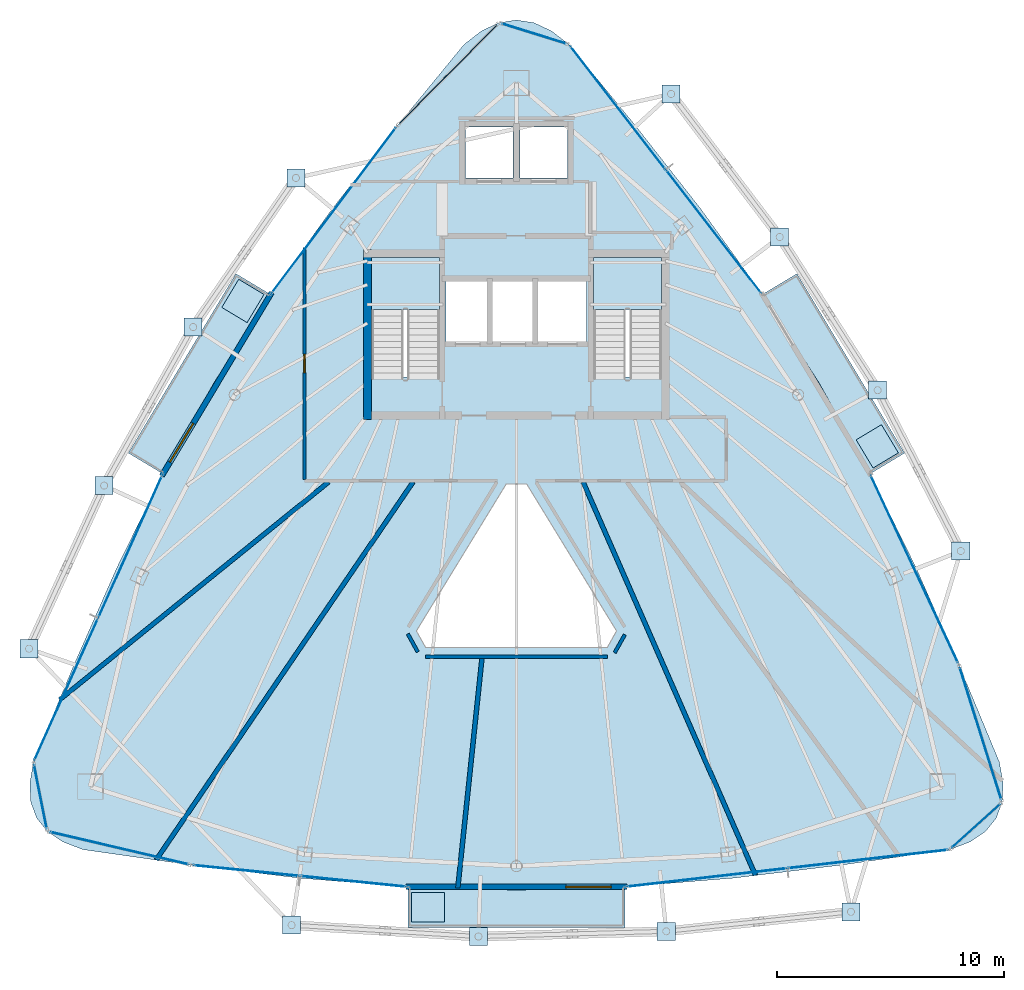
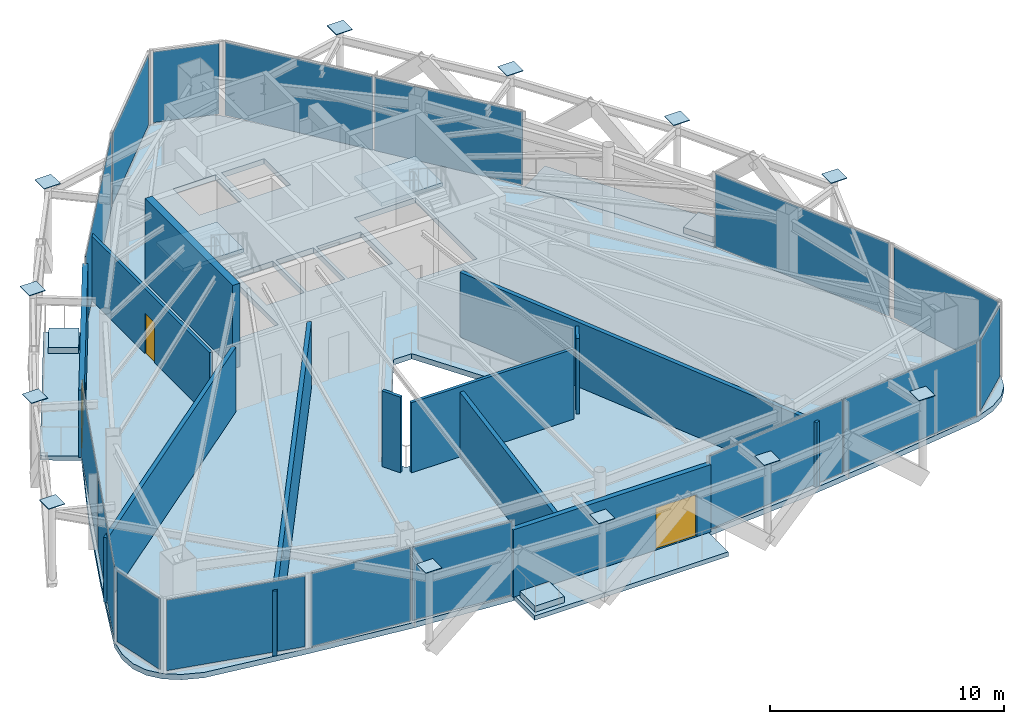
# One storey, part 18 of 22: 28 plates, 11 walls, 9 slabs, 3 doors, 3 openings, 14 elements without a shape of their own.
"""IFC4 building model written with IfcOpenShell, lengths in metres."""

from ifc_helpers import new_model, si_unit, direction, frame, frame_2d, origin, origin_2d, place, context, subcontext, project, spatial, polyline, rectangle, outline, extrude, material, layer, layer_set, type_object, element, fill, aggregate, save


model = new_model("IFC4")

# Units and contexts
model_context = context("Model", 3, precision=1e-05, world=origin(), true_north=direction((0.0, 1.0)))
body_context = subcontext(model_context, "Body", "Model", "MODEL_VIEW")
ifc_project = project(units=[si_unit("LENGTHUNIT", "METRE"), si_unit("AREAUNIT", "SQUARE_METRE"), si_unit("VOLUMEUNIT", "CUBIC_METRE"), si_unit("PLANEANGLEUNIT", "RADIAN"), si_unit("MASSUNIT", "GRAM", prefix="KILO")], contexts=[model_context])

# Site, building, storey
site_placement = place(None, origin())
site = spatial("IfcSite", under=ifc_project, at=site_placement, CompositionType="ELEMENT")
building_placement = place(site_placement, origin())
building = spatial("IfcBuilding", under=site, at=building_placement, Name="Orvanel Arch Residences", CompositionType="ELEMENT")
storey_placement = place(building_placement, frame((0.0, 0.0, 276.64990234375)))
storey = spatial("IfcBuildingStorey", under=building, at=storey_placement, Name="L79", CompositionType="ELEMENT", Elevation=276.64990234375)

# Plates
ifc_material_1 = material(Name="Structural steel AS/NZS 3678 Grade 350", Category="steel")
ifc_layer_1 = layer(ifc_material_1, 0.031982421875)
ifc_layer_set_1 = layer_set([ifc_layer_1], Name="Structural steel AS/NZS 3678 Grade 350")
plate_type_1 = type_object("IfcPlateType", Name="PL-CAP-32", PredefinedType="SHEET", material=ifc_layer_set_1)
for number, where, z_axis, x_axis, name in (
    (1, (23.26806640625, 37.20703125, 4.333984375), (0.0, 0.0, 1.0), (1.0, 0.0, 0.0), "L79 hollow member end cap plate"),
    (2, (18.735107421875, 30.62890625, 4.333984375), (0.0, 0.0, 1.0), (1.0, 0.0, 0.0), "L79 hollow member end cap plate"),
    (3, (14.806884765625, 23.634033203125, 4.333984375), (0.0, 0.0, 1.0), (1.0, 0.0, 0.0), "L79 hollow member end cap plate"),
    (4, (11.4951171875, 16.43701171875, 4.333984375), (0.0, 0.0, 1.0), (1.0, 0.0, 0.0), "L79 hollow member end cap plate"),
    (5, (23.0791015625, 4.239990234375, 4.333984375), (0.0, 0.0, 1.0), (1.0, 0.0, 0.0), "L79 hollow member end cap plate"),
    (6, (31.322021484375, 3.737060546875, 4.333984375), (0.0, 0.0, 1.0), (1.0, 0.0, 0.0), "L79 hollow member end cap plate"),
    (7, (39.610107421875, 3.967041015625, 4.333984375), (0.0, 0.0, 1.0), (1.0, 0.0, 0.0), "L79 hollow member end cap plate"),
    (8, (47.759033203125, 4.827880859375, 4.333984375), (0.0, 0.0, 1.0), (1.0, 0.0, 0.0), "L79 hollow member end cap plate"),
    (9, (52.60498046875, 20.748046875, 4.333984375), (0.0, 0.0, 1.0), (1.0, 0.0, 0.0), "L79 hollow member end cap plate"),
    (10, (48.93603515625, 27.843994140625, 4.333984375), (0.0, 0.0, 1.0), (1.0, 0.0, 0.0), "L79 hollow member end cap plate"),
    (11, (44.613037109375, 34.60302734375, 4.333984375), (0.0, 0.0, 1.0), (1.0, 0.0, 0.0), "L79 hollow member end cap plate"),
    (12, (39.822998046875, 40.9130859375, 4.333984375), (0.0, 0.0, 1.0), (1.0, 0.0, 0.0), "L79 hollow member end cap plate"),
):
    element("IfcPlate", number, at=place(storey_placement, frame(where, z_axis=z_axis, x_axis=x_axis)), inside=storey, type_object=plate_type_1, Name=name, PredefinedType="SHEET", context=body_context, shape_type="SweptSolid", body=[
        extrude(rectangle(XDim=0.800048828125, YDim=0.800048828125, at=origin_2d()), origin(), (0.0, 0.0, 1.0), 0.031982421875),
    ])

# Curtain wall, plate
ifc_material_2 = material(Name="Bronze-anodised aluminium AA6063-T6", Category="aluminium")
ifc_layer_2 = layer(ifc_material_2, 0.18994140625)
ifc_layer_set_2 = layer_set([ifc_layer_2], Name="Bronze-anodised aluminium AA6063-T6")
curtain_wall_type_1 = type_object("IfcCurtainWallType", Name="CW5-CRN-SYS", PredefinedType="NOTDEFINED", material=ifc_layer_set_2)
curtain_wall_1_placement = place(storey_placement, origin())
curtain_wall_1 = element("IfcCurtainWall", 13, at=curtain_wall_1_placement, inside=storey, type_object=curtain_wall_type_1, Name="L79 CW5-CRN-SYS Unitised Curtain Wall", PredefinedType="NOTDEFINED")
ifc_material_3 = material(Name="Double-glazed solar-control low-E safety glass", Category="glass")
ifc_layer_3 = layer(ifc_material_3, 0.031982421875)
ifc_layer_set_3 = layer_set([ifc_layer_3], Name="Double-glazed solar-control low-E safety glass")
plate_type_2 = type_object("IfcPlateType", Name="PNL-GLZ-32", PredefinedType="CURTAIN_PANEL", material=ifc_layer_set_3)
plate_1_placement = place(storey_placement, frame((33.7724609375, 43.575439453125, 0.130126953125), z_axis=(0.0, 0.0, 1.0), x_axis=(-0.954874529848, 0.297009481748, 0.0)))
plate_1 = element("IfcPlate", 14, at=plate_1_placement, type_object=plate_type_2, Name="CW-S5 panel 1.1", PredefinedType="CURTAIN_PANEL", context=body_context, shape_type="SweptSolid", body=[
    extrude(rectangle(XDim=2.895263671875, YDim=0.031982421875, at=origin_2d()), origin(), (0.0, 0.0, 1.0), 3.68994140625),
])
aggregate(curtain_wall_1, [plate_1])

curtain_wall_2_placement = place(storey_placement, origin())
curtain_wall_2 = element("IfcCurtainWall", 15, at=curtain_wall_2_placement, inside=storey, type_object=curtain_wall_type_1, Name="L79 CW5-CRN-SYS Unitised Curtain Wall", PredefinedType="NOTDEFINED")
plate_2_placement = place(storey_placement, frame((29.9765625, 41.77197265625, 0.130126953125), z_axis=(0.0, 0.0, 1.0), x_axis=(-0.701990149216, -0.712186654188, 0.0)))
plate_2 = element("IfcPlate", 16, at=plate_2_placement, type_object=plate_type_2, Name="CW-S5 panel 1.1", PredefinedType="CURTAIN_PANEL", context=body_context, shape_type="SweptSolid", body=[
    extrude(rectangle(XDim=6.07470703125, YDim=0.031982421875, at=origin_2d()), origin(), (0.0, 0.0, 1.0), 3.68994140625),
])
aggregate(curtain_wall_2, [plate_2])

curtain_wall_3_placement = place(storey_placement, origin())
curtain_wall_3 = element("IfcCurtainWall", 17, at=curtain_wall_3_placement, inside=storey, type_object=curtain_wall_type_1, Name="L79 CW5-CRN-SYS Unitised Curtain Wall", PredefinedType="NOTDEFINED")
plate_3_placement = place(storey_placement, frame((11.99560546875, 9.906005859375, 0.130126953125), z_axis=(0.0, 0.0, 1.0), x_axis=(0.195428223569, -0.980718007091, 0.0)))
plate_3 = element("IfcPlate", 18, at=plate_3_placement, type_object=plate_type_2, Name="CW-S5 panel 1.1", PredefinedType="CURTAIN_PANEL", context=body_context, shape_type="SweptSolid", body=[
    extrude(rectangle(XDim=2.775390625, YDim=0.031982421875, at=origin_2d()), origin(), (0.0, 0.0, 1.0), 3.68994140625),
])
aggregate(curtain_wall_3, [plate_3])

curtain_wall_4_placement = place(storey_placement, origin())
curtain_wall_4 = element("IfcCurtainWall", 19, at=curtain_wall_4_placement, inside=storey, type_object=curtain_wall_type_1, Name="L79 CW5-CRN-SYS Unitised Curtain Wall", PredefinedType="NOTDEFINED")
plate_4_placement = place(storey_placement, frame((15.4794921875, 7.634033203125, 0.130126953125), z_axis=(0.0, 0.0, 1.0), x_axis=(0.973735429993, -0.227682481487, 0.0)))
plate_4 = element("IfcPlate", 20, at=plate_4_placement, type_object=plate_type_2, Name="CW-S5 panel 1.1", PredefinedType="CURTAIN_PANEL", context=body_context, shape_type="SweptSolid", body=[
    extrude(rectangle(XDim=6.19140625, YDim=0.031982421875, at=origin_2d()), origin(), (0.0, 0.0, 1.0), 3.68994140625),
])
aggregate(curtain_wall_4, [plate_4])

curtain_wall_5_placement = place(storey_placement, origin())
curtain_wall_5 = element("IfcCurtainWall", 21, at=curtain_wall_5_placement, inside=storey, type_object=curtain_wall_type_1, Name="L79 CW5-CRN-SYS Unitised Curtain Wall", PredefinedType="NOTDEFINED")
plate_5_placement = place(storey_placement, frame((53.275390625, 8.617919921875, 0.130126953125), z_axis=(0.0, 0.0, 1.0), x_axis=(0.740263621493, 0.672316719035, 0.0)))
plate_5 = element("IfcPlate", 22, at=plate_5_placement, type_object=plate_type_2, Name="CW-S5 panel 1.1", PredefinedType="CURTAIN_PANEL", context=body_context, shape_type="SweptSolid", body=[
    extrude(rectangle(XDim=2.77587890625, YDim=0.031982421875, at=origin_2d()), origin(), (0.0, 0.0, 1.0), 3.68994140625),
])
aggregate(curtain_wall_5, [plate_5])

curtain_wall_6_placement = place(storey_placement, origin())
curtain_wall_6 = element("IfcCurtainWall", 23, at=curtain_wall_6_placement, inside=storey, type_object=curtain_wall_type_1, Name="L79 CW5-CRN-SYS Unitised Curtain Wall", PredefinedType="NOTDEFINED")
plate_6_placement = place(storey_placement, frame((53.47412109375, 12.70361328125, 0.130126953125), z_axis=(0.0, 0.0, 1.0), x_axis=(-0.29983070447, 0.953992425891, 0.0)))
plate_6 = element("IfcPlate", 24, at=plate_6_placement, type_object=plate_type_2, Name="CW-S5 panel 1.1", PredefinedType="CURTAIN_PANEL", context=body_context, shape_type="SweptSolid", body=[
    extrude(rectangle(XDim=6.0302734375, YDim=0.031982421875, at=origin_2d()), origin(), (0.0, 0.0, 1.0), 3.68994140625),
])
aggregate(curtain_wall_6, [plate_6])

ifc_layer_4 = layer(ifc_material_2, 0.195068359375)
ifc_layer_set_4 = layer_set([ifc_layer_4], Name="Bronze-anodised aluminium AA6063-T6")
curtain_wall_type_2 = type_object("IfcCurtainWallType", Name="CW6-COM-SYS", PredefinedType="NOTDEFINED", material=ifc_layer_set_4)
curtain_wall_7_placement = place(storey_placement, origin())
curtain_wall_7 = element("IfcCurtainWall", 25, at=curtain_wall_7_placement, inside=storey, type_object=curtain_wall_type_2, Name="L79 CW6-COM-SYS Unitised Curtain Wall", PredefinedType="NOTDEFINED")
plate_7_placement = place(storey_placement, frame((24.9375, 35.778076171875, 0.06494140625), z_axis=(0.0, 0.0, 1.0), x_axis=(-0.600692340648, -0.799480276109, 0.0)))
plate_7 = element("IfcPlate", 26, at=plate_7_placement, type_object=plate_type_2, Name="CW-S6 panel 1.1", PredefinedType="CURTAIN_PANEL", context=body_context, shape_type="SweptSolid", body=[
    extrude(rectangle(XDim=9.091064453125, YDim=0.031982421875, at=origin_2d()), origin(), (0.0, 0.0, 1.0), 3.820068359375),
])
aggregate(curtain_wall_7, [plate_7])

# Curtain wall, plates
curtain_wall_8_placement = place(storey_placement, origin())
curtain_wall_8 = element("IfcCurtainWall", 27, at=curtain_wall_8_placement, inside=storey, type_object=curtain_wall_type_2, Name="L79 CW6-COM-SYS Unitised Curtain Wall", PredefinedType="NOTDEFINED")
plate_8_placement = place(storey_placement, frame((15.962646484375, 20.947265625, 0.06494140625), z_axis=(0.0, 0.0, 1.0), x_axis=(-0.409625830142, -0.91225362662, 0.0)))
plate_8 = element("IfcPlate", 28, at=plate_8_placement, type_object=plate_type_2, Name="CW-S6 panel 1.1", PredefinedType="CURTAIN_PANEL", context=body_context, shape_type="SweptSolid", body=[
    extrude(rectangle(XDim=6.8388671875, YDim=0.031982421875, at=origin_2d()), origin(), (0.0, 0.0, 1.0), 3.820068359375),
])
plate_9_placement = place(storey_placement, frame((13.13037109375, 14.639892578125, 0.06494140625), z_axis=(0.0, 0.0, 1.0), x_axis=(-0.409625830142, -0.91225362662, 0.0)))
plate_9 = element("IfcPlate", 29, at=plate_9_placement, type_object=plate_type_2, Name="CW-S6 panel 2.1", PredefinedType="CURTAIN_PANEL", context=body_context, shape_type="SweptSolid", body=[
    extrude(rectangle(XDim=6.8388671875, YDim=0.031982421875, at=origin_2d()), origin(), (0.0, 0.0, 1.0), 3.820068359375),
])
aggregate(curtain_wall_8, [plate_8, plate_9])

curtain_wall_9_placement = place(storey_placement, origin())
curtain_wall_9 = element("IfcCurtainWall", 30, at=curtain_wall_9_placement, inside=storey, type_object=curtain_wall_type_2, Name="L79 CW6-COM-SYS Unitised Curtain Wall", PredefinedType="NOTDEFINED")
plate_10_placement = place(storey_placement, frame((21.077880859375, 6.646240234375, 0.06494140625), z_axis=(0.0, 0.0, 1.0), x_axis=(0.994955115989, -0.100321070404, 0.0)))
plate_10 = element("IfcPlate", 31, at=plate_10_placement, type_object=plate_type_2, Name="CW-S6 panel 1.1", PredefinedType="CURTAIN_PANEL", context=body_context, shape_type="SweptSolid", body=[
    extrude(rectangle(XDim=4.672119140625, YDim=0.031982421875, at=origin_2d()), origin(), (0.0, 0.0, 1.0), 3.820068359375),
])
plate_11_placement = place(storey_placement, frame((25.801025390625, 6.169921875, 0.06494140625), z_axis=(0.0, 0.0, 1.0), x_axis=(0.994955115989, -0.100321070404, 0.0)))
plate_11 = element("IfcPlate", 32, at=plate_11_placement, type_object=plate_type_2, Name="CW-S6 panel 2.1", PredefinedType="CURTAIN_PANEL", context=body_context, shape_type="SweptSolid", body=[
    extrude(rectangle(XDim=4.672119140625, YDim=0.031982421875, at=origin_2d()), origin(), (0.0, 0.0, 1.0), 3.820068359375),
])
aggregate(curtain_wall_9, [plate_10, plate_11])

curtain_wall_10_placement = place(storey_placement, origin())
curtain_wall_10 = element("IfcCurtainWall", 33, at=curtain_wall_10_placement, inside=storey, type_object=curtain_wall_type_2, Name="L79 CW6-COM-SYS Unitised Curtain Wall", PredefinedType="NOTDEFINED")
plate_12_placement = place(storey_placement, frame((41.39404296875, 6.34033203125, 0.06494140625), z_axis=(0.0, 0.0, 1.0), x_axis=(0.993481748148, 0.113991298337, 0.0)))
plate_12 = element("IfcPlate", 34, at=plate_12_placement, type_object=plate_type_2, Name="CW-S6 panel 1.1", PredefinedType="CURTAIN_PANEL", context=body_context, shape_type="SweptSolid", body=[
    extrude(rectangle(XDim=7.08544921875, YDim=0.031982421875, at=origin_2d()), origin(), (0.0, 0.0, 1.0), 3.820068359375),
])
plate_13_placement = place(storey_placement, frame((48.5078125, 7.156494140625, 0.06494140625), z_axis=(0.0, 0.0, 1.0), x_axis=(0.993481748148, 0.113991298337, 0.0)))
plate_13 = element("IfcPlate", 35, at=plate_13_placement, type_object=plate_type_2, Name="CW-S6 panel 2.1", PredefinedType="CURTAIN_PANEL", context=body_context, shape_type="SweptSolid", body=[
    extrude(rectangle(XDim=7.08544921875, YDim=0.031982421875, at=origin_2d()), origin(), (0.0, 0.0, 1.0), 3.820068359375),
])
aggregate(curtain_wall_10, [plate_12, plate_13])

# Curtain wall, plate
curtain_wall_11_placement = place(storey_placement, origin())
curtain_wall_11 = element("IfcCurtainWall", 36, at=curtain_wall_11_placement, inside=storey, type_object=curtain_wall_type_2, Name="L79 CW6-COM-SYS Unitised Curtain Wall", PredefinedType="NOTDEFINED")
plate_14_placement = place(storey_placement, frame((50.55859375, 19.947509765625, 0.06494140625), z_axis=(0.0, 0.0, 1.0), x_axis=(-0.422589227025, 0.906321325581, 0.0)))
plate_14 = element("IfcPlate", 37, at=plate_14_placement, type_object=plate_type_2, Name="CW-S6 panel 1.1", PredefinedType="CURTAIN_PANEL", context=body_context, shape_type="SweptSolid", body=[
    extrude(rectangle(XDim=9.090576171875, YDim=0.031982421875, at=origin_2d()), origin(), (0.0, 0.0, 1.0), 3.820068359375),
])
aggregate(curtain_wall_11, [plate_14])

# Curtain wall, plates
curtain_wall_12_placement = place(storey_placement, origin())
curtain_wall_12 = element("IfcCurtainWall", 38, at=curtain_wall_12_placement, inside=storey, type_object=curtain_wall_type_2, Name="L79 CW6-COM-SYS Unitised Curtain Wall", PredefinedType="NOTDEFINED")
plate_15_placement = place(storey_placement, frame((41.69921875, 34.84765625, 0.06494140625), z_axis=(0.0, 0.0, 1.0), x_axis=(-0.612026661099, 0.790837129948, 0.0)))
plate_15 = element("IfcPlate", 39, at=plate_15_placement, type_object=plate_type_2, Name="CW-S6 panel 1.1", PredefinedType="CURTAIN_PANEL", context=body_context, shape_type="SweptSolid", body=[
    extrude(rectangle(XDim=6.839111328125, YDim=0.031982421875, at=origin_2d()), origin(), (0.0, 0.0, 1.0), 3.820068359375),
])
plate_16_placement = place(storey_placement, frame((37.4677734375, 40.3154296875, 0.06494140625), z_axis=(0.0, 0.0, 1.0), x_axis=(-0.612026661099, 0.790837129948, 0.0)))
plate_16 = element("IfcPlate", 40, at=plate_16_placement, type_object=plate_type_2, Name="CW-S6 panel 2.1", PredefinedType="CURTAIN_PANEL", context=body_context, shape_type="SweptSolid", body=[
    extrude(rectangle(XDim=6.839111328125, YDim=0.031982421875, at=origin_2d()), origin(), (0.0, 0.0, 1.0), 3.820068359375),
])
aggregate(curtain_wall_12, [plate_15, plate_16])

# Slabs
ifc_material_4 = material(Name="Concrete N40 (40 MPa)", Category="concrete")
ifc_layer_5 = layer(ifc_material_4, 0.22998046875)
ifc_layer_set_5 = layer_set([ifc_layer_5], Name="Concrete N40 (40 MPa)")
slab_type_1 = type_object("IfcSlabType", Name="SLB-BAL-230", PredefinedType="FLOOR", material=ifc_layer_set_5)
slab_1_placement = place(storey_placement, frame((0.0, 0.0, -0.22998046875)))
element("IfcSlab", 41, at=slab_1_placement, inside=storey, type_object=slab_type_1, Name="L79 Cantilevered Balcony Slab Face 1", PredefinedType="FLOOR", context=body_context, shape_type="SweptSolid", body=[
    extrude(outline(polyline([(20.6240234375, 32.98388671875), (15.8759765625, 25.069091796875), (17.402099609375, 24.153076171875), (19.659912109375, 28.179931640625), (22.14990234375, 32.068115234375), (20.6240234375, 32.98388671875)])), origin(), (0.0, 0.0, 1.0), 0.22998046875),
])
slab_2_placement = place(storey_placement, frame((0.0, 0.0, -0.22998046875)))
element("IfcSlab", 42, at=slab_2_placement, inside=storey, type_object=slab_type_1, Name="L79 Cantilevered Balcony Slab Face 2", PredefinedType="FLOOR", context=body_context, shape_type="SweptSolid", body=[
    extrude(outline(polyline([(28.219970703125, 4.14599609375), (37.780029296875, 4.14599609375), (37.780029296875, 5.926025390625), (33.0, 5.7900390625), (28.219970703125, 5.926025390625), (28.219970703125, 4.14599609375)])), origin(), (0.0, 0.0, 1.0), 0.22998046875),
])
slab_3_placement = place(storey_placement, frame((0.0, 0.0, -0.22998046875)))
element("IfcSlab", 43, at=slab_3_placement, inside=storey, type_object=slab_type_1, Name="L79 Cantilevered Balcony Slab Face 3", PredefinedType="FLOOR", context=body_context, shape_type="SweptSolid", body=[
    extrude(outline(polyline([(50.1240234375, 25.069091796875), (45.3759765625, 32.98388671875), (43.85009765625, 32.068115234375), (46.340087890625, 28.179931640625), (48.597900390625, 24.153076171875), (50.1240234375, 25.069091796875)])), origin(), (0.0, 0.0, 1.0), 0.22998046875),
])

# Stair, slab
ifc_material_5 = material(Name="Precast concrete N50 (50 MPa)", Category="concrete")
stair_type = type_object("IfcStairType", Name="STR-DOG-181", PredefinedType="USERDEFINED", material=ifc_material_5)
stair_1_placement = place(storey_placement, origin())
stair_1 = element("IfcStair", 44, at=stair_1_placement, inside=storey, type_object=stair_type, Name="L79 Fire-Isolated Core Exit Stair 1", ObjectType="TWO_RETURN_STAIR", PredefinedType="USERDEFINED")
ifc_layer_6 = layer(ifc_material_4, 0.199951171875)
ifc_layer_set_6 = layer_set([ifc_layer_6], Name="Concrete N40 (40 MPa)")
slab_type_2 = type_object("IfcSlabType", Name="SLB-LND-200", PredefinedType="LANDING", material=ifc_layer_set_6)
slab_4_placement = place(storey_placement, frame((0.0, 0.0, 1.97509765625)))
slab_4 = element("IfcSlab", 45, at=slab_4_placement, type_object=slab_type_2, Name="ST-1 landing 1", PredefinedType="LANDING", context=body_context, shape_type="SweptSolid", body=[
    extrude(outline(polyline([(29.60009765625, 31.39990234375), (29.60009765625, 33.699951171875), (26.60009765625, 33.699951171875), (26.60009765625, 31.39990234375), (29.60009765625, 31.39990234375)])), origin(), (0.0, 0.0, 1.0), 0.199951171875),
])
aggregate(stair_1, [slab_4])

stair_2_placement = place(storey_placement, origin())
stair_2 = element("IfcStair", 46, at=stair_2_placement, inside=storey, type_object=stair_type, Name="L79 Fire-Isolated Core Exit Stair 2", ObjectType="TWO_RETURN_STAIR", PredefinedType="USERDEFINED")
slab_5_placement = place(storey_placement, frame((0.0, 0.0, 1.97509765625)))
slab_5 = element("IfcSlab", 47, at=slab_5_placement, type_object=slab_type_2, Name="ST-2 landing 1", PredefinedType="LANDING", context=body_context, shape_type="SweptSolid", body=[
    extrude(outline(polyline([(39.39990234375, 31.39990234375), (39.39990234375, 33.699951171875), (36.39990234375, 33.699951171875), (36.39990234375, 31.39990234375), (39.39990234375, 31.39990234375)])), origin(), (0.0, 0.0, 1.0), 0.199951171875),
])
aggregate(stair_2, [slab_5])

# Slabs
ifc_material_6 = material(Name="Structural architectural precast concrete N40 (40 MPa) planter", Category="concrete")
ifc_layer_7 = layer(ifc_material_6, 0.320068359375)
ifc_layer_set_7 = layer_set([ifc_layer_7], Name="Structural architectural precast concrete N40 (40 MPa) planter")
slab_type_3 = type_object("IfcSlabType", Name="SLB-PLN-320", PredefinedType="USERDEFINED", material=ifc_layer_set_7)
slab_6_placement = place(storey_placement, origin())
element("IfcSlab", 48, at=slab_6_placement, inside=storey, type_object=slab_type_3, Name="L79 Balcony TREE PLANTER Face 1", ObjectType="PLANTER", PredefinedType="USERDEFINED", context=body_context, shape_type="SweptSolid", body=[
    extrude(outline(polyline([(20.743896484375, 32.737060546875), (19.998046875, 31.493896484375), (21.113037109375, 30.824951171875), (21.85888671875, 32.068115234375), (20.743896484375, 32.737060546875)])), origin(), (0.0, 0.0, 1.0), 0.320068359375),
])
slab_7_placement = place(storey_placement, origin())
element("IfcSlab", 49, at=slab_7_placement, inside=storey, type_object=slab_type_3, Name="L79 Balcony TREE PLANTER Face 2", ObjectType="PLANTER", PredefinedType="USERDEFINED", context=body_context, shape_type="SweptSolid", body=[
    extrude(outline(polyline([(28.3701171875, 4.3759765625), (29.820068359375, 4.3759765625), (29.820068359375, 5.676025390625), (28.3701171875, 5.676025390625), (28.3701171875, 4.3759765625)])), origin(), (0.0, 0.0, 1.0), 0.320068359375),
])
slab_8_placement = place(storey_placement, origin())
element("IfcSlab", 50, at=slab_8_placement, inside=storey, type_object=slab_type_3, Name="L79 Balcony TREE PLANTER Face 3", ObjectType="PLANTER", PredefinedType="USERDEFINED", context=body_context, shape_type="SweptSolid", body=[
    extrude(outline(polyline([(49.85009765625, 25.0791015625), (49.10400390625, 26.322998046875), (47.989013671875, 25.654052734375), (48.735107421875, 24.409912109375), (49.85009765625, 25.0791015625)])), origin(), (0.0, 0.0, 1.0), 0.320068359375),
])
ifc_layer_8 = layer(ifc_material_4, 0.280029296875)
ifc_layer_set_8 = layer_set([ifc_layer_8], Name="Concrete N40 (40 MPa)")
slab_type_4 = type_object("IfcSlabType", Name="SLB-POD-280", PredefinedType="FLOOR", material=ifc_layer_set_8)
slab_9_placement = place(storey_placement, frame((0.0, 0.0, -0.27978515625)))
element("IfcSlab", 51, at=slab_9_placement, inside=storey, type_object=slab_type_4, Name="L79 Tower Floor Slab", PredefinedType="FLOOR", context=body_context, shape_type="SweptSolid", body=[
    extrude(outline(polyline([(35.31689453125, 43.094970703125), (34.544921875, 43.696044921875), (33.77197265625, 44.055908203125), (33.0, 44.177001953125), (32.22802734375, 44.055908203125), (31.455078125, 43.696044921875), (30.68310546875, 43.094970703125), (27.72509765625, 39.488037109375), (24.85498046875, 35.827880859375), (22.14990234375, 32.068115234375), (19.659912109375, 28.179931640625), (17.402099609375, 24.153076171875), (15.35888671875, 19.9970703125), (13.48095703125, 15.741943359375), (11.69091796875, 11.43408203125), (11.52490234375, 10.489013671875), (11.571044921875, 9.6650390625), (11.830078125, 8.9619140625), (12.300048828125, 8.3779296875), (12.98291015625, 7.9150390625), (13.8779296875, 7.571044921875), (18.658935546875, 6.889892578125), (23.43896484375, 6.31201171875), (28.219970703125, 5.926025390625), (33.0, 5.7900390625), (37.780029296875, 5.926025390625), (42.56103515625, 6.31201171875), (47.341064453125, 6.889892578125), (52.1220703125, 7.571044921875), (53.01708984375, 7.9150390625), (53.699951171875, 8.3779296875), (54.169921875, 8.9619140625), (54.428955078125, 9.6650390625), (54.47509765625, 10.489013671875), (54.30908203125, 11.43408203125), (52.51904296875, 15.741943359375), (50.64111328125, 19.9970703125), (48.597900390625, 24.153076171875), (46.340087890625, 28.179931640625), (43.85009765625, 32.068115234375), (41.14501953125, 35.827880859375), (38.27490234375, 39.488037109375), (35.31689453125, 43.094970703125)]), holes=[polyline([(26.60009765625, 28.429931640625), (26.60009765625, 33.699951171875), (29.60009765625, 33.699951171875), (29.60009765625, 28.429931640625), (26.60009765625, 28.429931640625)]), polyline([(36.39990234375, 28.429931640625), (36.39990234375, 33.699951171875), (39.39990234375, 33.699951171875), (39.39990234375, 28.429931640625), (36.39990234375, 28.429931640625)]), polyline([(29.89990234375, 32.64990234375), (31.75, 32.64990234375), (31.75, 29.949951171875), (29.89990234375, 29.949951171875), (29.89990234375, 32.64990234375)]), polyline([(31.89990234375, 32.64990234375), (33.75, 32.64990234375), (33.75, 29.949951171875), (31.89990234375, 29.949951171875), (31.89990234375, 32.64990234375)]), polyline([(33.89990234375, 32.64990234375), (36.10009765625, 32.64990234375), (36.10009765625, 29.949951171875), (33.89990234375, 29.949951171875), (33.89990234375, 32.64990234375)]), polyline([(30.75, 39.449951171875), (32.85009765625, 39.449951171875), (32.85009765625, 37.199951171875), (30.75, 37.199951171875), (30.75, 39.449951171875)]), polyline([(33.14990234375, 39.449951171875), (35.25, 39.449951171875), (35.25, 37.199951171875), (33.14990234375, 37.199951171875), (33.14990234375, 39.449951171875)]), polyline([(37.416015625, 17.219970703125), (37.006103515625, 16.488037109375), (28.993896484375, 16.488037109375), (28.583984375, 17.219970703125), (32.552978515625, 23.7119140625), (33.447021484375, 23.7119140625), (37.416015625, 17.219970703125)])]), origin(), (0.0, 0.0, 1.0), 0.27978515625),
])

# Wall, opening, door
ifc_layer_9 = layer(ifc_material_5, 0.239990234375)
ifc_layer_set_9 = layer_set([ifc_layer_9], Name="Precast concrete N50 (50 MPa)")
wall_type_1 = type_object("IfcWallType", Name="EW-BAL-240", PredefinedType="SOLIDWALL", material=ifc_layer_set_9)
wall_1_placement = place(storey_placement, frame((22.199951171875, 32.152099609375, 0.0), z_axis=(0.0, 0.0, 1.0), x_axis=(-0.51434718889, -0.857582048133, 0.0)))
wall_1 = element("IfcWall", 52, at=wall_1_placement, inside=storey, type_object=wall_type_1, Name="L79 Balcony Threshold Wall Face 1", PredefinedType="SOLIDWALL", context=body_context, shape_type="SweptSolid", body=[
    extrude(rectangle(XDim=9.42529296875, YDim=0.239990234375, at=frame_2d((4.712646484375, 0.0))), origin(), (0.0, 0.0, 1.0), 3.51416015625),
])
opening_1_placement = place(wall_1_placement, frame((6.72802734375, 0.0, 0.0)))
opening_1 = element("IfcOpeningElement", 53, at=opening_1_placement, cuts=wall_1, Name="Opening DT-200", PredefinedType="OPENING", context=body_context, shape_type="SweptSolid", body=[
    extrude(rectangle(XDim=2.0, YDim=2.199951171875, at=frame_2d((1.0, 1.10009765625))), frame((0.0, 0.1298828125, 0.0), z_axis=(0.0, -1.0, 0.0), x_axis=(1.0, 0.0, 0.0)), (0.0, 0.0, 1.0), 0.260009765625),
])
door_type_1 = type_object("IfcDoorType", Name="DR-TER-2000", OperationType="NOTDEFINED", PredefinedType="DOOR", material=ifc_material_2)
door_1_placement = place(opening_1_placement, origin())
door_1 = element("IfcDoor", 54, at=door_1_placement, inside=storey, type_object=door_type_1, Name="DR-L79-BAL-F1 L79 Planted Balcony Access Door Face 1", OperationType="SINGLE_SWING_LEFT", OverallHeight=2.199951171875, OverallWidth=2.0, PredefinedType="DOOR", context=body_context, shape_type="SweptSolid", body=[
    extrude(rectangle(XDim=2.0, YDim=2.199951171875, at=frame_2d((1.0, 1.10009765625))), frame((0.0, 0.02490234375, 0.0), z_axis=(0.0, -1.0, 0.0), x_axis=(1.0, 0.0, 0.0)), (0.0, 0.0, 1.0), 0.050048828125),
])
fill(opening_1, door_1)

wall_2_placement = place(storey_placement, frame((28.1220703125, 5.926025390625, 0.0), z_axis=(0.0, 0.0, 1.0), x_axis=(1.0, 0.0, 0.0)))
wall_2 = element("IfcWall", 55, at=wall_2_placement, inside=storey, type_object=wall_type_1, Name="L79 Balcony Threshold Wall Face 2", PredefinedType="SOLIDWALL", context=body_context, shape_type="SweptSolid", body=[
    extrude(rectangle(XDim=9.755859375, YDim=0.239990234375, at=frame_2d((4.8779296875, 0.0))), origin(), (0.0, 0.0, 1.0), 3.51416015625),
])
opening_2_placement = place(wall_2_placement, frame((7.05908203125, 0.0, 0.0)))
opening_2 = element("IfcOpeningElement", 56, at=opening_2_placement, cuts=wall_2, Name="Opening DT-200", PredefinedType="OPENING", context=body_context, shape_type="SweptSolid", body=[
    extrude(rectangle(XDim=2.0, YDim=2.199951171875, at=frame_2d((1.0, 1.10009765625))), frame((0.0, 0.1298828125, 0.0), z_axis=(0.0, -1.0, 0.0), x_axis=(1.0, 0.0, 0.0)), (0.0, 0.0, 1.0), 0.260009765625),
])
door_2_placement = place(opening_2_placement, origin())
door_2 = element("IfcDoor", 57, at=door_2_placement, inside=storey, type_object=door_type_1, Name="DR-L79-BAL-F2 L79 Planted Balcony Access Door Face 2", OperationType="SINGLE_SWING_RIGHT", OverallHeight=2.199951171875, OverallWidth=2.0, PredefinedType="DOOR", context=body_context, shape_type="SweptSolid", body=[
    extrude(rectangle(XDim=2.0, YDim=2.199951171875, at=frame_2d((1.0, 1.10009765625))), frame((0.0, 0.02490234375, 0.0), z_axis=(0.0, -1.0, 0.0), x_axis=(1.0, 0.0, 0.0)), (0.0, 0.0, 1.0), 0.050048828125),
])
fill(opening_2, door_2)

# Wall
ifc_material_7 = material(Name="Concrete N50 (50 MPa)", Category="concrete")
ifc_layer_10 = layer(ifc_material_7, 0.35009765625)
ifc_layer_set_10 = layer_set([ifc_layer_10], Name="Concrete N50 (50 MPa)")
wall_type_2 = type_object("IfcWallType", Name="SW-CORE-350", PredefinedType="SHEAR", material=ifc_layer_set_10)
wall_3_placement = place(storey_placement, frame((26.425048828125, 26.550048828125, 0.0), z_axis=(0.0, 0.0, 1.0), x_axis=(0.0, 1.0, 0.0)))
element("IfcWall", 58, at=wall_3_placement, inside=storey, type_object=wall_type_2, Name="L79 West Stair Shear Wall", PredefinedType="SHEAR", context=body_context, shape_type="SweptSolid", body=[
    extrude(rectangle(XDim=7.5, YDim=0.35009765625, at=frame_2d((3.75, 0.0))), origin(), (0.0, 0.0, 1.0), 4.35009765625),
])

# Wall, opening, door
ifc_material_8 = material(Name="Fire-rated plasterboard lined steel stud partition", Category="steel")
ifc_layer_11 = layer(ifc_material_8, 0.14990234375)
ifc_layer_set_11 = layer_set([ifc_layer_11], Name="Fire-rated plasterboard lined steel stud partition")
wall_type_3 = type_object("IfcWallType", Name="W-COR-150", PredefinedType="PARTITIONING", material=ifc_layer_set_11)
wall_4_placement = place(storey_placement, frame((23.64990234375, 23.909912109375, 0.0), z_axis=(0.0, 0.0, 1.0), x_axis=(0.0, 1.0, 0.0)))
wall_4 = element("IfcWall", 59, at=wall_4_placement, inside=storey, type_object=wall_type_3, Name="L79 Community Corridor Wall", PredefinedType="PARTITIONING", context=body_context, shape_type="SweptSolid", body=[
    extrude(rectangle(XDim=10.234130859375, YDim=0.14990234375, at=frame_2d((5.1171875, 0.0))), origin(), (0.0, 0.0, 1.0), 3.382080078125),
])
opening_3_placement = place(wall_4_placement, frame((4.70703125, 0.0, 0.0)))
opening_3 = element("IfcOpeningElement", 60, at=opening_3_placement, cuts=wall_4, Name="Opening DW-082", PredefinedType="OPENING", context=body_context, shape_type="SweptSolid", body=[
    extrude(rectangle(XDim=0.820068359375, YDim=2.10009765625, at=frame_2d((0.41015625, 1.050048828125))), frame((0.0, 0.0849609375, 0.0), z_axis=(0.0, -1.0, 0.0), x_axis=(1.0, 0.0, 0.0)), (0.0, 0.0, 1.0), 0.169921875),
])
ifc_material_9 = material(Name="Solid-core European oak veneer fire door leaf", Category="wood")
door_type_2 = type_object("IfcDoorType", Name="DR-WET-820", OperationType="NOTDEFINED", PredefinedType="DOOR", material=ifc_material_9)
door_3_placement = place(opening_3_placement, origin())
door_3 = element("IfcDoor", 61, at=door_3_placement, inside=storey, type_object=door_type_2, Name="DR-L79-WC-0 L79 Accessible Restrooms Door", OperationType="SINGLE_SWING_LEFT", OverallHeight=2.10009765625, OverallWidth=0.820068359375, PredefinedType="DOOR", context=body_context, shape_type="SweptSolid", body=[
    extrude(rectangle(XDim=0.820068359375, YDim=2.10009765625, at=frame_2d((0.41015625, 1.050048828125))), frame((0.0, 0.02490234375, 0.0), z_axis=(0.0, -1.0, 0.0), x_axis=(1.0, 0.0, 0.0)), (0.0, 0.0, 1.0), 0.050048828125),
])
fill(opening_3, door_3)

# Walls
wall_5_placement = place(storey_placement, frame((37.781982421875, 17.05908203125, 0.0), z_axis=(0.0, 0.0, 1.0), x_axis=(-0.489033415255, -0.872265050752, 0.0)))
element("IfcWall", 62, at=wall_5_placement, inside=storey, type_object=wall_type_3, Name="L79 Atrium Glazed Wall", PredefinedType="PARTITIONING", context=body_context, shape_type="SweptSolid", body=[
    extrude(rectangle(XDim=0.916015625, YDim=0.14990234375, at=frame_2d((0.4580078125, 0.0))), origin(), (0.0, 0.0, 1.0), 3.9501953125),
])
wall_6_placement = place(storey_placement, frame((37.006103515625, 16.087890625, 0.0), z_axis=(0.0, 0.0, 1.0), x_axis=(-1.0, 0.0, 0.0)))
element("IfcWall", 63, at=wall_6_placement, inside=storey, type_object=wall_type_3, Name="L79 Atrium Glazed Wall", PredefinedType="PARTITIONING", context=body_context, shape_type="SweptSolid", body=[
    extrude(rectangle(XDim=8.01220703125, YDim=0.14990234375, at=frame_2d((4.006103515625, 0.0))), origin(), (0.0, 0.0, 1.0), 3.6630859375),
])
wall_7_placement = place(storey_placement, frame((28.64599609375, 16.2919921875, 0.0), z_axis=(0.0, 0.0, 1.0), x_axis=(-0.482133469033, 0.876097778811, 0.0)))
element("IfcWall", 64, at=wall_7_placement, inside=storey, type_object=wall_type_3, Name="L79 Atrium Glazed Wall", PredefinedType="PARTITIONING", context=body_context, shape_type="SweptSolid", body=[
    extrude(rectangle(XDim=0.91650390625, YDim=0.14990234375, at=frame_2d((0.458251953125, 0.0))), origin(), (0.0, 0.0, 1.0), 3.9501953125),
])
ifc_layer_12 = layer(ifc_material_8, 0.199951171875)
ifc_layer_set_12 = layer_set([ifc_layer_12], Name="Fire-rated plasterboard lined steel stud partition")
wall_type_4 = type_object("IfcWallType", Name="W-DEM-200", PredefinedType="PARTITIONING", material=ifc_layer_set_12)
wall_8_placement = place(storey_placement, frame((31.47900390625, 16.028076171875, 0.0), z_axis=(0.0, 0.0, 1.0), x_axis=(-0.104545306724, -0.994520124905, 0.0)))
element("IfcWall", 65, at=wall_8_placement, inside=storey, type_object=wall_type_4, Name="L79 Amenity Wall", PredefinedType="PARTITIONING", context=body_context, shape_type="SweptSolid", body=[
    extrude(rectangle(XDim=10.205078125, YDim=0.199951171875, at=frame_2d((5.1025390625, 0.0))), origin(), (0.0, 0.0, 1.0), 3.382080078125),
])
wall_9_placement = place(storey_placement, frame((17.10595703125, 7.125, 0.0), z_axis=(0.0, 0.0, 1.0), x_axis=(0.562270256774, 0.826953540622, 0.0)))
element("IfcWall", 66, at=wall_9_placement, inside=storey, type_object=wall_type_4, Name="L79 Amenity Wall", PredefinedType="PARTITIONING", context=body_context, shape_type="SweptSolid", body=[
    extrude(rectangle(XDim=20.15234375, YDim=0.199951171875, at=frame_2d((10.076171875, 0.0))), origin(), (0.0, 0.0, 1.0), 3.382080078125),
])
wall_10_placement = place(storey_placement, frame((35.94091796875, 23.7900390625, 0.0), z_axis=(0.0, 0.0, 1.0), x_axis=(0.401465927698, -0.915873959067, 0.0)))
element("IfcWall", 67, at=wall_10_placement, inside=storey, type_object=wall_type_4, Name="L79 Amenity Wall", PredefinedType="PARTITIONING", context=body_context, shape_type="SweptSolid", body=[
    extrude(rectangle(XDim=18.938232421875, YDim=0.199951171875, at=frame_2d((9.46923828125, 0.0))), origin(), (0.0, 0.0, 1.0), 3.382080078125),
])
wall_11_placement = place(storey_placement, frame((12.842041015625, 14.18505859375, 0.0), z_axis=(0.0, 0.0, 1.0), x_axis=(0.777295887415, 0.629135202804, 0.0)))
element("IfcWall", 68, at=wall_11_placement, inside=storey, type_object=wall_type_4, Name="L79 Amenity Wall", PredefinedType="PARTITIONING", context=body_context, shape_type="SweptSolid", body=[
    extrude(rectangle(XDim=15.266845703125, YDim=0.199951171875, at=frame_2d((7.63330078125, 0.0))), origin(), (0.0, 0.0, 1.0), 3.382080078125),
])

save(model, "model.ifc")
